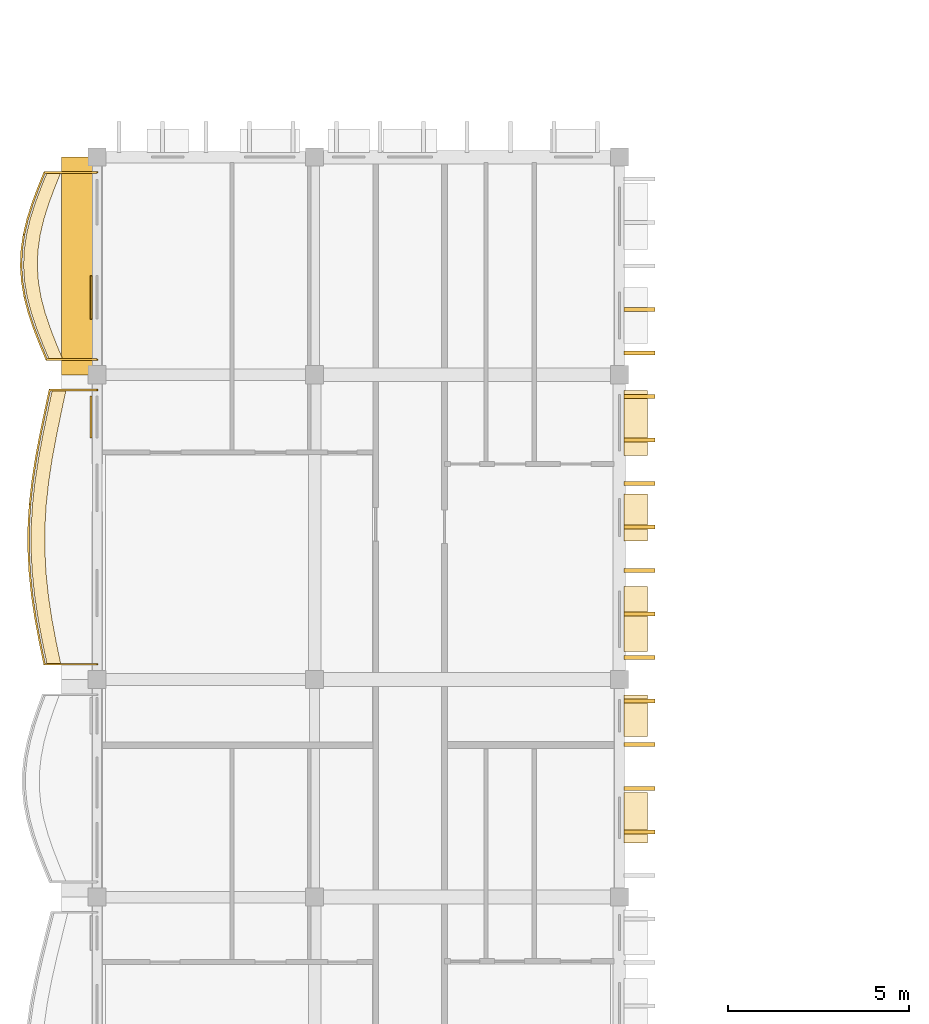
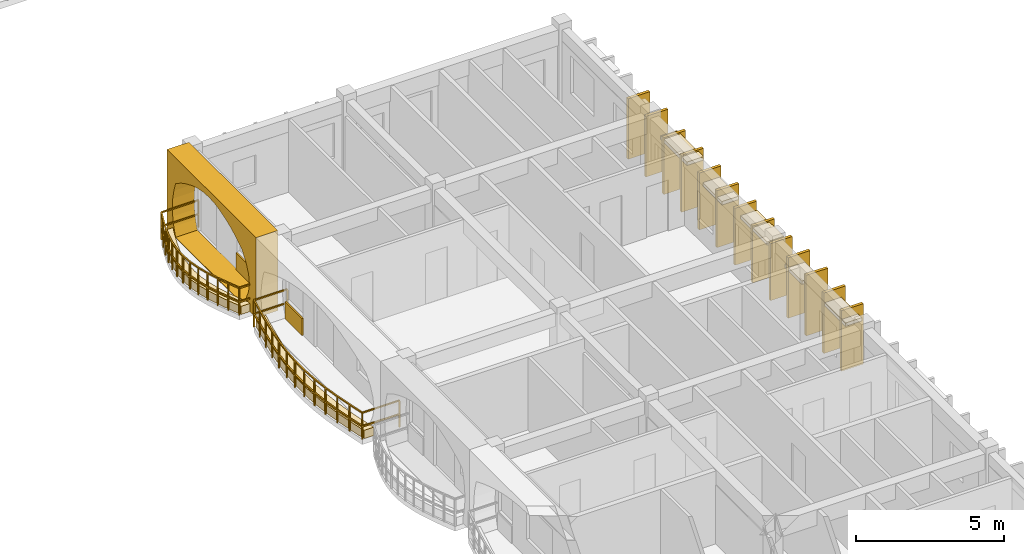
# One storey, part 45 of 66: 23 coverings, 2 railings.
"""IFC4 building model written with IfcOpenShell, lengths in metres."""

from ifc_helpers import new_model, si_unit, direction, frame, origin, origin_2d, place, context, subcontext, project, spatial, polyline, rectangle, outline, extrude, material, layer, layer_set, type_object, element, save


model = new_model("IFC4")

# Units and contexts
model_context = context("Model", 3, precision=1e-05, world=origin(), true_north=direction((0.0, 1.0)))
body_context = subcontext(model_context, "Body", "Model", "MODEL_VIEW")
ifc_project = project(units=[si_unit("LENGTHUNIT", "METRE"), si_unit("AREAUNIT", "SQUARE_METRE"), si_unit("VOLUMEUNIT", "CUBIC_METRE"), si_unit("PLANEANGLEUNIT", "RADIAN"), si_unit("MASSUNIT", "GRAM", prefix="KILO"), si_unit("THERMODYNAMICTEMPERATUREUNIT", "KELVIN")], contexts=[model_context])

# Site, building, storey
site_placement = place(None, origin())
site = spatial("IfcSite", under=ifc_project, at=site_placement, CompositionType="ELEMENT")
building_placement = place(site_placement, origin())
building = spatial("IfcBuilding", under=site, at=building_placement, Name="Thalorik Housing Commons", CompositionType="ELEMENT")
storey_placement = place(building_placement, frame((0.0, 0.0, 21.300048828125)))
storey = spatial("IfcBuildingStorey", under=building, at=storey_placement, Name="L06", CompositionType="ELEMENT", Elevation=21.300048828125)

# Coverings
ifc_material_1 = material(Name="Cobalt blue glazed ceramic facade tile panel", Category="masonry")
ifc_layer_1 = layer(ifc_material_1, 0.06005859375, Name="Cobalt blue glazed ceramic facade tile panel", Category="masonry")
ifc_layer_set_1 = layer_set([ifc_layer_1], Name="Cobalt blue glazed ceramic facade tile panel")
covering_type_1 = type_object("IfcCoveringType", Name="ARC-CLD-BLU-60", PredefinedType="CLADDING", material=ifc_layer_set_1)
covering_1_placement = place(storey_placement, frame((8.235107421875, 50.4375, 0.0498046875), z_axis=(0.0, 0.0, 1.0), x_axis=(0.0, -1.0, 0.0)))
element("IfcCovering", 1, at=covering_1_placement, inside=storey, type_object=covering_type_1, Name="L06 De Stijl Recessed Window Spandrel 4078", PredefinedType="CLADDING", context=body_context, shape_type="SweptSolid", body=[
    extrude(rectangle(XDim=1.14990234375, YDim=0.06005859375, at=origin_2d()), origin(), (0.0, 0.0, 1.0), 0.699951171875),
])
ifc_material_2 = material(Name="Precast concrete C40/50", Category="concrete")
ifc_layer_2 = layer(ifc_material_2, 0.85009765625, Name="Precast concrete C40/50", Category="concrete")
ifc_layer_set_2 = layer_set([ifc_layer_2], Name="Precast concrete C40/50")
covering_type_2 = type_object("IfcCoveringType", Name="ARC-CLD-CUSH-850", PredefinedType="CLADDING", material=ifc_layer_set_2)
covering_2_placement = place(storey_placement, frame((7.844970703125, 54.60009765625, 0.0), z_axis=(0.0, 0.0, 1.0), x_axis=(0.0, -1.0, 0.0)))
element("IfcCovering", 2, at=covering_2_placement, inside=storey, type_object=covering_type_2, Name="L06 White Precast Curved Cushion Bay Frame 4075", PredefinedType="CLADDING", context=body_context, shape_type="SweptSolid", body=[
    extrude(outline(polyline([(-3.0, 0.0), (3.0, 0.0), (3.0, 3.300048828125), (-3.0, 3.300048828125), (-3.0, 0.0)]), holes=[polyline([(2.0400390625, 0.02490234375), (2.3232421875, 0.394287109375), (2.493408203125, 0.76318359375), (2.550048828125, 1.132568359375), (2.493408203125, 1.501708984375), (2.3232421875, 1.870849609375), (2.0400390625, 2.239990234375), (1.66748046875, 2.4833984375), (1.294921875, 2.6748046875), (0.922607421875, 2.82958984375), (0.550048828125, 2.94482421875), (0.177490234375, 3.01611328125), (-0.195068359375, 3.0400390625), (-0.5673828125, 3.01611328125), (-0.93994140625, 2.94482421875), (-1.3125, 2.82958984375), (-1.68505859375, 2.6748046875), (-2.0576171875, 2.4833984375), (-2.429931640625, 2.239990234375), (-2.55029296875, 1.870849609375), (-2.62255859375, 1.501708984375), (-2.646484375, 1.132568359375), (-2.62255859375, 0.76318359375), (-2.55029296875, 0.394287109375), (-2.429931640625, 0.02490234375), (2.0400390625, 0.02490234375)])]), frame((0.0, 0.425048828125, 0.0), z_axis=(0.0, -1.0, 0.0), x_axis=(1.0, 0.0, 0.0)), (0.0, 0.0, 1.0), 0.85009765625),
])
ifc_layer_3 = layer(ifc_material_2, 0.85009765625, Name="Precast concrete C40/50", Category="concrete")
ifc_layer_set_3 = layer_set([ifc_layer_3], Name="Precast concrete C40/50")
covering_type_3 = type_object("IfcCoveringType", Name="ARC-CLD-FIN-850", PredefinedType="CLADDING", material=ifc_layer_set_3)
for number, where, z_axis, x_axis, name in (
    (3, (23.35498046875, 39.0, 0.039794921875), (0.0, 0.0, 1.0), (0.0, 1.0, 0.0), "L06 Courtyard Precast Vertical Brise-Soleil Fin 4035"),
    (4, (23.35498046875, 40.199951171875, 0.039794921875), (0.0, 0.0, 1.0), (0.0, 1.0, 0.0), "L06 Courtyard Precast Vertical Brise-Soleil Fin 4036"),
    (5, (23.35498046875, 41.39990234375, 0.039794921875), (0.0, 0.0, 1.0), (0.0, 1.0, 0.0), "L06 Courtyard Precast Vertical Brise-Soleil Fin 4037"),
    (6, (23.35498046875, 42.60009765625, 0.039794921875), (0.0, 0.0, 1.0), (0.0, 1.0, 0.0), "L06 Courtyard Precast Vertical Brise-Soleil Fin 4038"),
):
    element("IfcCovering", number, at=place(storey_placement, frame(where, z_axis=z_axis, x_axis=x_axis)), inside=storey, type_object=covering_type_3, Name=name, PredefinedType="CLADDING", context=body_context, shape_type="SweptSolid", body=[
        extrude(rectangle(XDim=0.110107421875, YDim=0.85009765625, at=origin_2d()), origin(), (0.0, 0.0, 1.0), 2.4951171875),
    ])
for number, where, z_axis, x_axis, name in (
    (7, (23.35498046875, 43.800048828125, 0.0400390625), (0.0, 0.0, 1.0), (0.0, 1.0, 0.0), "L06 Courtyard Precast Vertical Brise-Soleil Fin 4041"),
    (8, (23.35498046875, 45.0, 0.0400390625), (0.0, 0.0, 1.0), (0.0, 1.0, 0.0), "L06 Courtyard Precast Vertical Brise-Soleil Fin 4042"),
    (9, (23.35498046875, 46.199951171875, 0.0400390625), (0.0, 0.0, 1.0), (0.0, 1.0, 0.0), "L06 Courtyard Precast Vertical Brise-Soleil Fin 4043"),
    (10, (23.35498046875, 47.39990234375, 0.0400390625), (0.0, 0.0, 1.0), (0.0, 1.0, 0.0), "L06 Courtyard Precast Vertical Brise-Soleil Fin 4044"),
    (11, (23.35498046875, 48.60009765625, 0.0400390625), (0.0, 0.0, 1.0), (0.0, 1.0, 0.0), "L06 Courtyard Precast Vertical Brise-Soleil Fin 4045"),
    (12, (23.35498046875, 49.800048828125, 0.0400390625), (0.0, 0.0, 1.0), (0.0, 1.0, 0.0), "L06 Courtyard Precast Vertical Brise-Soleil Fin 4046"),
    (13, (23.35498046875, 51.0, 0.0400390625), (0.0, 0.0, 1.0), (0.0, 1.0, 0.0), "L06 Courtyard Precast Vertical Brise-Soleil Fin 4047"),
):
    element("IfcCovering", number, at=place(storey_placement, frame(where, z_axis=z_axis, x_axis=x_axis)), inside=storey, type_object=covering_type_3, Name=name, PredefinedType="CLADDING", context=body_context, shape_type="SweptSolid", body=[
        extrude(rectangle(XDim=0.110107421875, YDim=0.85009765625, at=origin_2d()), origin(), (0.0, 0.0, 1.0), 2.344970703125),
    ])
for number, where, z_axis, x_axis, name in (
    (14, (23.35498046875, 52.199951171875, 0.039794921875), (0.0, 0.0, 1.0), (0.0, 1.0, 0.0), "L06 Courtyard Precast Vertical Brise-Soleil Fin 4051"),
    (15, (23.35498046875, 53.39990234375, 0.039794921875), (0.0, 0.0, 1.0), (0.0, 1.0, 0.0), "L06 Courtyard Precast Vertical Brise-Soleil Fin 4052"),
):
    element("IfcCovering", number, at=place(storey_placement, frame(where, z_axis=z_axis, x_axis=x_axis)), inside=storey, type_object=covering_type_3, Name=name, PredefinedType="CLADDING", context=body_context, shape_type="SweptSolid", body=[
        extrude(rectangle(XDim=0.110107421875, YDim=0.85009765625, at=origin_2d()), origin(), (0.0, 0.0, 1.0), 2.4951171875),
    ])
ifc_layer_4 = layer(ifc_material_2, 0.64990234375, Name="Precast concrete C40/50", Category="concrete")
ifc_layer_set_4 = layer_set([ifc_layer_4], Name="Precast concrete C40/50")
covering_type_4 = type_object("IfcCoveringType", Name="ARC-CLD-HOOD-650", PredefinedType="CLADDING", material=ifc_layer_set_4)
covering_3_placement = place(storey_placement, frame((23.2548828125, 39.389892578125, 2.0400390625), z_axis=(0.0, 0.0, 1.0), x_axis=(0.0, 1.0, 0.0)))
element("IfcCovering", 16, at=covering_3_placement, inside=storey, type_object=covering_type_4, Name="L06 Courtyard Precast Window Sun-Hood 4039", PredefinedType="CLADDING", context=body_context, shape_type="SweptSolid", body=[
    extrude(rectangle(XDim=1.389892578125, YDim=0.64990234375, at=origin_2d()), origin(), (0.0, 0.0, 1.0), 0.139892578125),
])
covering_4_placement = place(storey_placement, frame((23.2548828125, 42.199951171875, 1.990234375), z_axis=(0.0, 0.0, 1.0), x_axis=(0.0, 1.0, 0.0)))
element("IfcCovering", 17, at=covering_4_placement, inside=storey, type_object=covering_type_4, Name="L06 Courtyard Precast Window Sun-Hood 4040", PredefinedType="CLADDING", context=body_context, shape_type="SweptSolid", body=[
    extrude(rectangle(XDim=1.139892578125, YDim=0.64990234375, at=origin_2d()), origin(), (0.0, 0.0, 1.0), 0.139892578125),
])
covering_5_placement = place(storey_placement, frame((23.2548828125, 44.863037109375, 2.18994140625), z_axis=(0.0, 0.0, 1.0), x_axis=(0.0, 1.0, 0.0)))
element("IfcCovering", 18, at=covering_5_placement, inside=storey, type_object=covering_type_4, Name="L06 Courtyard Precast Window Sun-Hood 4048", PredefinedType="CLADDING", context=body_context, shape_type="SweptSolid", body=[
    extrude(rectangle(XDim=1.7900390625, YDim=0.64990234375, at=origin_2d()), origin(), (0.0, 0.0, 1.0), 0.139892578125),
])
covering_6_placement = place(storey_placement, frame((23.2548828125, 47.6689453125, 1.990234375), z_axis=(0.0, 0.0, 1.0), x_axis=(0.0, 1.0, 0.0)))
element("IfcCovering", 19, at=covering_6_placement, inside=storey, type_object=covering_type_4, Name="L06 Courtyard Precast Window Sun-Hood 4049", PredefinedType="CLADDING", context=body_context, shape_type="SweptSolid", body=[
    extrude(rectangle(XDim=1.2900390625, YDim=0.64990234375, at=origin_2d()), origin(), (0.0, 0.0, 1.0), 0.139892578125),
])
covering_7_placement = place(storey_placement, frame((23.2548828125, 50.27587890625, 2.18994140625), z_axis=(0.0, 0.0, 1.0), x_axis=(0.0, 1.0, 0.0)))
element("IfcCovering", 20, at=covering_7_placement, inside=storey, type_object=covering_type_4, Name="L06 Courtyard Precast Window Sun-Hood 4050", PredefinedType="CLADDING", context=body_context, shape_type="SweptSolid", body=[
    extrude(rectangle(XDim=1.7900390625, YDim=0.64990234375, at=origin_2d()), origin(), (0.0, 0.0, 1.0), 0.139892578125),
])
ifc_material_3 = material(Name="Terracotta red mineral fibre-cement panel", Category="masonry")
ifc_layer_5 = layer(ifc_material_3, 0.054931640625, Name="Terracotta red mineral fibre-cement panel", Category="masonry")
ifc_layer_set_5 = layer_set([ifc_layer_5], Name="Terracotta red mineral fibre-cement panel")
covering_type_5 = type_object("IfcCoveringType", Name="ARC-CLD-RED-55", PredefinedType="CLADDING", material=ifc_layer_set_5)
covering_8_placement = place(storey_placement, frame((8.237548828125, 53.735107421875, 0.0498046875), z_axis=(0.0, 0.0, 1.0), x_axis=(0.0, -1.0, 0.0)))
element("IfcCovering", 21, at=covering_8_placement, inside=storey, type_object=covering_type_5, Name="L06 De Stijl Recessed Window Spandrel 4076", PredefinedType="CLADDING", context=body_context, shape_type="SweptSolid", body=[
    extrude(rectangle(XDim=1.199951171875, YDim=0.054931640625, at=origin_2d()), origin(), (0.0, 0.0, 1.0), 0.699951171875),
])
ifc_material_4 = material(Name="Planted vegetated substrate and terracotta trough", Category="masonry")
ifc_layer_6 = layer(ifc_material_4, 0.340087890625, Name="Planted vegetated substrate and terracotta trough", Category="masonry")
ifc_layer_set_6 = layer_set([ifc_layer_6], Name="Planted vegetated substrate and terracotta trough")
covering_type_6 = type_object("IfcCoveringType", Name="ARC-COV-PLANTER", PredefinedType="USERDEFINED", material=ifc_layer_set_6)
covering_9_placement = place(storey_placement, origin())
element("IfcCovering", 22, at=covering_9_placement, inside=storey, type_object=covering_type_6, Name="L06 Balcony Slab-Edge Planted Trough 5610", ObjectType="PLANTER", PredefinedType="USERDEFINED", context=body_context, shape_type="SweptSolid", body=[
    extrude(outline(polyline([(7.165771484375, 51.179931640625), (7.031982421875, 50.550048828125), (6.90234375, 49.919921875), (6.785400390625, 49.2900390625), (6.689208984375, 48.659912109375), (6.620361328125, 48.030029296875), (6.58349609375, 47.39990234375), (6.5810546875, 46.77001953125), (6.613525390625, 46.139892578125), (6.67919921875, 45.510009765625), (6.773193359375, 44.8798828125), (6.889892578125, 44.25), (7.021484375, 43.6201171875), (7.4013671875, 43.6201171875), (7.27001953125, 44.25), (7.1533203125, 44.8798828125), (7.05908203125, 45.510009765625), (6.99365234375, 46.139892578125), (6.961181640625, 46.77001953125), (6.96337890625, 47.39990234375), (7.00048828125, 48.030029296875), (7.0693359375, 48.659912109375), (7.16552734375, 49.2900390625), (7.282470703125, 49.919921875), (7.412109375, 50.550048828125), (7.5458984375, 51.179931640625), (7.165771484375, 51.179931640625)])), origin(), (0.0, 0.0, 1.0), 0.33984375),
])
covering_10_placement = place(storey_placement, origin())
element("IfcCovering", 23, at=covering_10_placement, inside=storey, type_object=covering_type_6, Name="L06 Balcony Slab-Edge Planted Trough 5611", ObjectType="PLANTER", PredefinedType="USERDEFINED", context=body_context, shape_type="SweptSolid", body=[
    extrude(outline(polyline([(7.023681640625, 57.179931640625), (6.849853515625, 56.75), (6.68994140625, 56.320068359375), (6.5546875, 55.889892578125), (6.452880859375, 55.4599609375), (6.39111328125, 55.030029296875), (6.3740234375, 54.60009765625), (6.402587890625, 54.169921875), (6.475341796875, 53.739990234375), (6.58740234375, 53.31005859375), (6.73193359375, 52.8798828125), (6.8994140625, 52.449951171875), (7.079345703125, 52.02001953125), (7.459228515625, 52.02001953125), (7.279541015625, 52.449951171875), (7.11181640625, 52.8798828125), (6.967529296875, 53.31005859375), (6.855224609375, 53.739990234375), (6.78271484375, 54.169921875), (6.754150390625, 54.60009765625), (6.771240234375, 55.030029296875), (6.832763671875, 55.4599609375), (6.9345703125, 55.889892578125), (7.06982421875, 56.320068359375), (7.229736328125, 56.75), (7.40380859375, 57.179931640625), (7.023681640625, 57.179931640625)])), origin(), (0.0, 0.0, 1.0), 0.33984375),
])

# Railings
ifc_material_5 = material(Name="Steel S355", Category="steel")
railing_type_1 = type_object("IfcRailingType", Name="ARC-RL-BAL-112", PredefinedType="BALUSTRADE", material=ifc_material_5)
railing_1_placement = place(storey_placement, frame((8.39990234375, 51.179931640625, 0.0)))
element("IfcRailing", 24, at=railing_1_placement, inside=storey, type_object=railing_type_1, Name="L06 Cushion Balcony Guardrail 294", PredefinedType="BALUSTRADE", context=body_context, shape_type="SweptSolid", body=[
    extrude(rectangle(XDim=0.050048828125, YDim=0.050048828125, at=origin_2d()), frame((0.0, 0.0, 1.09521484375), z_axis=(-1.0, 0.0, 0.0), x_axis=(0.0, -1.0, 0.0)), (0.0, 0.0, 1.0), 1.30419921875),
    extrude(rectangle(XDim=0.050048828125, YDim=0.050048828125, at=origin_2d()), frame((0.0, 0.0, 0.53515625), z_axis=(-1.0, 0.0, 0.0), x_axis=(0.0, -1.0, 0.0)), (0.0, 0.0, 1.0), 1.30419921875),
    extrude(rectangle(XDim=0.050048828125, YDim=0.050048828125, at=origin_2d()), frame((-1.30419921875, 0.0, 1.09521484375), z_axis=(-0.207405250274, -0.97825511098, 0.0), x_axis=(0.97825511098, -0.207405250274, 0.0)), (0.0, 0.0, 1.0), 0.643798828125),
    extrude(rectangle(XDim=0.050048828125, YDim=0.050048828125, at=origin_2d()), frame((-1.30419921875, 0.0, 0.53515625), z_axis=(-0.207405250274, -0.97825511098, 0.0), x_axis=(0.97825511098, -0.207405250274, 0.0)), (0.0, 0.0, 1.0), 0.643798828125),
    extrude(rectangle(XDim=0.050048828125, YDim=0.050048828125, at=origin_2d()), frame((-1.437744140625, -0.6298828125, 1.09521484375), z_axis=(-0.201513716685, -0.97948569259, 0.0), x_axis=(0.97948569259, -0.201513716685, 0.0)), (0.0, 0.0, 1.0), 0.643310546875),
    extrude(rectangle(XDim=0.050048828125, YDim=0.050048828125, at=origin_2d()), frame((-1.437744140625, -0.6298828125, 0.53515625), z_axis=(-0.201513716685, -0.97948569259, 0.0), x_axis=(0.97948569259, -0.201513716685, 0.0)), (0.0, 0.0, 1.0), 0.643310546875),
    extrude(rectangle(XDim=0.050048828125, YDim=0.050048828125, at=origin_2d()), frame((-1.5673828125, -1.260009765625, 1.09521484375), z_axis=(-0.182539567958, -0.983198507998, 0.0), x_axis=(0.983198507998, -0.182539567958, 0.0)), (0.0, 0.0, 1.0), 0.640625),
    extrude(rectangle(XDim=0.050048828125, YDim=0.050048828125, at=origin_2d()), frame((-1.5673828125, -1.260009765625, 0.53515625), z_axis=(-0.182539567958, -0.983198507998, 0.0), x_axis=(0.983198507998, -0.182539567958, 0.0)), (0.0, 0.0, 1.0), 0.640625),
    extrude(rectangle(XDim=0.050048828125, YDim=0.050048828125, at=origin_2d()), frame((-1.684326171875, -1.889892578125, 1.09521484375), z_axis=(-0.150905837951, -0.988548141505, 0.0), x_axis=(0.988548141505, -0.150905837951, 0.0)), (0.0, 0.0, 1.0), 0.637451171875),
    extrude(rectangle(XDim=0.050048828125, YDim=0.050048828125, at=origin_2d()), frame((-1.684326171875, -1.889892578125, 0.53515625), z_axis=(-0.150905837951, -0.988548141505, 0.0), x_axis=(0.988548141505, -0.150905837951, 0.0)), (0.0, 0.0, 1.0), 0.637451171875),
    extrude(rectangle(XDim=0.050048828125, YDim=0.050048828125, at=origin_2d()), frame((-1.780517578125, -2.52001953125, 1.09521484375), z_axis=(-0.109035930223, -0.9940378091, 0.0), x_axis=(0.9940378091, -0.109035930223, 0.0)), (0.0, 0.0, 1.0), 0.633544921875),
    extrude(rectangle(XDim=0.050048828125, YDim=0.050048828125, at=origin_2d()), frame((-1.780517578125, -2.52001953125, 0.53515625), z_axis=(-0.109035930223, -0.9940378091, 0.0), x_axis=(0.9940378091, -0.109035930223, 0.0)), (0.0, 0.0, 1.0), 0.633544921875),
    extrude(rectangle(XDim=0.050048828125, YDim=0.050048828125, at=origin_2d()), frame((-1.849609375, -3.14990234375, 1.09521484375), z_axis=(-0.058404588245, -0.998292995103, 0.0), x_axis=(0.998292995103, -0.058404588245, 0.0)), (0.0, 0.0, 1.0), 0.631103515625),
    extrude(rectangle(XDim=0.050048828125, YDim=0.050048828125, at=origin_2d()), frame((-1.849609375, -3.14990234375, 0.53515625), z_axis=(-0.058404588245, -0.998292995103, 0.0), x_axis=(0.998292995103, -0.058404588245, 0.0)), (0.0, 0.0, 1.0), 0.631103515625),
    extrude(rectangle(XDim=0.050048828125, YDim=0.050048828125, at=origin_2d()), frame((-1.886474609375, -3.780029296875, 1.09521484375), z_axis=(-0.003875939878, -0.999992488517, 0.0), x_axis=(0.999992488517, -0.003875939878, 0.0)), (0.0, 0.0, 1.0), 0.6298828125),
    extrude(rectangle(XDim=0.050048828125, YDim=0.050048828125, at=origin_2d()), frame((-1.886474609375, -3.780029296875, 0.53515625), z_axis=(-0.003875939878, -0.999992488517, 0.0), x_axis=(0.999992488517, -0.003875939878, 0.0)), (0.0, 0.0, 1.0), 0.6298828125),
    extrude(rectangle(XDim=0.050048828125, YDim=0.050048828125, at=origin_2d()), frame((-1.888916015625, -4.409912109375, 1.09521484375), z_axis=(0.05184803106, -0.998654986307, 0.0), x_axis=(0.998654986307, 0.05184803106, 0.0)), (0.0, 0.0, 1.0), 0.630859375),
    extrude(rectangle(XDim=0.050048828125, YDim=0.050048828125, at=origin_2d()), frame((-1.888916015625, -4.409912109375, 0.53515625), z_axis=(0.05184803106, -0.998654986307, 0.0), x_axis=(0.998654986307, 0.05184803106, 0.0)), (0.0, 0.0, 1.0), 0.630859375),
    extrude(rectangle(XDim=0.050048828125, YDim=0.050048828125, at=origin_2d()), frame((-1.856201171875, -5.0400390625, 1.09521484375), z_axis=(0.10332004178, -0.994648163406, 0.0), x_axis=(0.994648163406, 0.10332004178, 0.0)), (0.0, 0.0, 1.0), 0.63330078125),
    extrude(rectangle(XDim=0.050048828125, YDim=0.050048828125, at=origin_2d()), frame((-1.856201171875, -5.0400390625, 0.53515625), z_axis=(0.10332004178, -0.994648163406, 0.0), x_axis=(0.994648163406, 0.10332004178, 0.0)), (0.0, 0.0, 1.0), 0.63330078125),
    extrude(rectangle(XDim=0.050048828125, YDim=0.050048828125, at=origin_2d()), frame((-1.790771484375, -5.669921875, 1.09521484375), z_axis=(0.147909472647, -0.989000903893, 0.0), x_axis=(0.989000903893, 0.147909472647, 0.0)), (0.0, 0.0, 1.0), 0.63720703125),
    extrude(rectangle(XDim=0.050048828125, YDim=0.050048828125, at=origin_2d()), frame((-1.790771484375, -5.669921875, 0.53515625), z_axis=(0.147909472647, -0.989000903893, 0.0), x_axis=(0.989000903893, 0.147909472647, 0.0)), (0.0, 0.0, 1.0), 0.63720703125),
    extrude(rectangle(XDim=0.050048828125, YDim=0.050048828125, at=origin_2d()), frame((-1.696533203125, -6.300048828125, 1.09521484375), z_axis=(0.182171142854, -0.983266838, 0.0), x_axis=(0.983266838, 0.182171142854, 0.0)), (0.0, 0.0, 1.0), 0.640625),
    extrude(rectangle(XDim=0.050048828125, YDim=0.050048828125, at=origin_2d()), frame((-1.696533203125, -6.300048828125, 0.53515625), z_axis=(0.182171142854, -0.983266838, 0.0), x_axis=(0.983266838, 0.182171142854, 0.0)), (0.0, 0.0, 1.0), 0.640625),
    extrude(rectangle(XDim=0.050048828125, YDim=0.050048828125, at=origin_2d()), frame((-1.579833984375, -6.929931640625, 1.09521484375), z_axis=(0.204136076393, -0.978942522478, 0.0), x_axis=(0.978942522478, 0.204136076393, 0.0)), (0.0, 0.0, 1.0), 0.643310546875),
    extrude(rectangle(XDim=0.050048828125, YDim=0.050048828125, at=origin_2d()), frame((-1.579833984375, -6.929931640625, 0.53515625), z_axis=(0.204136076393, -0.978942522478, 0.0), x_axis=(0.978942522478, 0.204136076393, 0.0)), (0.0, 0.0, 1.0), 0.643310546875),
    extrude(rectangle(XDim=0.050048828125, YDim=0.050048828125, at=origin_2d()), frame((-1.448486328125, -7.559814453125, 1.09521484375), z_axis=(1.0, 0.0, 0.0), x_axis=(0.0, 1.0, 0.0)), (0.0, 0.0, 1.0), 1.448486328125),
    extrude(rectangle(XDim=0.050048828125, YDim=0.050048828125, at=origin_2d()), frame((-1.448486328125, -7.559814453125, 0.53515625), z_axis=(1.0, 0.0, 0.0), x_axis=(0.0, 1.0, 0.0)), (0.0, 0.0, 1.0), 1.448486328125),
    extrude(rectangle(XDim=0.0419921875, YDim=0.0419921875, at=origin_2d()), origin(), (0.0, 0.0, 1.0), 1.070068359375),
    extrude(rectangle(XDim=0.0419921875, YDim=0.0419921875, at=origin_2d()), frame((-1.30419921875, 0.0, 0.0)), (0.0, 0.0, 1.0), 1.070068359375),
    extrude(rectangle(XDim=0.0419921875, YDim=0.0419921875, at=origin_2d()), frame((-1.437744140625, -0.6298828125, 0.0)), (0.0, 0.0, 1.0), 1.070068359375),
    extrude(rectangle(XDim=0.0419921875, YDim=0.0419921875, at=origin_2d()), frame((-1.5673828125, -1.260009765625, 0.0)), (0.0, 0.0, 1.0), 1.070068359375),
    extrude(rectangle(XDim=0.0419921875, YDim=0.0419921875, at=origin_2d()), frame((-1.684326171875, -1.889892578125, 0.0)), (0.0, 0.0, 1.0), 1.070068359375),
    extrude(rectangle(XDim=0.0419921875, YDim=0.0419921875, at=origin_2d()), frame((-1.780517578125, -2.52001953125, 0.0)), (0.0, 0.0, 1.0), 1.070068359375),
    extrude(rectangle(XDim=0.0419921875, YDim=0.0419921875, at=origin_2d()), frame((-1.849609375, -3.14990234375, 0.0)), (0.0, 0.0, 1.0), 1.070068359375),
    extrude(rectangle(XDim=0.0419921875, YDim=0.0419921875, at=origin_2d()), frame((-1.886474609375, -3.780029296875, 0.0)), (0.0, 0.0, 1.0), 1.070068359375),
    extrude(rectangle(XDim=0.0419921875, YDim=0.0419921875, at=origin_2d()), frame((-1.888916015625, -4.409912109375, 0.0)), (0.0, 0.0, 1.0), 1.070068359375),
    extrude(rectangle(XDim=0.0419921875, YDim=0.0419921875, at=origin_2d()), frame((-1.856201171875, -5.0400390625, 0.0)), (0.0, 0.0, 1.0), 1.070068359375),
    extrude(rectangle(XDim=0.0419921875, YDim=0.0419921875, at=origin_2d()), frame((-1.790771484375, -5.669921875, 0.0)), (0.0, 0.0, 1.0), 1.070068359375),
    extrude(rectangle(XDim=0.0419921875, YDim=0.0419921875, at=origin_2d()), frame((-1.696533203125, -6.300048828125, 0.0)), (0.0, 0.0, 1.0), 1.070068359375),
    extrude(rectangle(XDim=0.0419921875, YDim=0.0419921875, at=origin_2d()), frame((-1.579833984375, -6.929931640625, 0.0)), (0.0, 0.0, 1.0), 1.070068359375),
    extrude(rectangle(XDim=0.0419921875, YDim=0.0419921875, at=origin_2d()), frame((-1.448486328125, -7.559814453125, 0.0)), (0.0, 0.0, 1.0), 1.070068359375),
    extrude(rectangle(XDim=0.0419921875, YDim=0.0419921875, at=origin_2d()), frame((0.0, -7.559814453125, 0.0)), (0.0, 0.0, 1.0), 1.070068359375),
])
railing_type_2 = type_object("IfcRailingType", Name="ARC-RL-BAL-115", PredefinedType="BALUSTRADE", material=ifc_material_5)
railing_2_placement = place(storey_placement, frame((8.39990234375, 57.179931640625, 0.0)))
element("IfcRailing", 25, at=railing_2_placement, inside=storey, type_object=railing_type_2, Name="L06 Cushion Balcony Guardrail 295", PredefinedType="BALUSTRADE", context=body_context, shape_type="SweptSolid", body=[
    extrude(rectangle(XDim=0.050048828125, YDim=0.050048828125, at=origin_2d()), frame((0.0, 0.0, 1.125), z_axis=(-1.0, 0.0, 0.0), x_axis=(0.0, -1.0, 0.0)), (0.0, 0.0, 1.0), 1.4462890625),
    extrude(rectangle(XDim=0.050048828125, YDim=0.050048828125, at=origin_2d()), frame((0.0, 0.0, 0.5498046875), z_axis=(-1.0, 0.0, 0.0), x_axis=(0.0, -1.0, 0.0)), (0.0, 0.0, 1.0), 1.4462890625),
    extrude(rectangle(XDim=0.050048828125, YDim=0.050048828125, at=origin_2d()), frame((-1.4462890625, 0.0, 1.125), z_axis=(-0.374837314047, -0.927090603985, 0.0), x_axis=(0.927090603985, -0.374837314047, 0.0)), (0.0, 0.0, 1.0), 0.463623046875),
    extrude(rectangle(XDim=0.050048828125, YDim=0.050048828125, at=origin_2d()), frame((-1.4462890625, 0.0, 0.5498046875), z_axis=(-0.374837314047, -0.927090603985, 0.0), x_axis=(0.927090603985, -0.374837314047, 0.0)), (0.0, 0.0, 1.0), 0.463623046875),
    extrude(rectangle(XDim=0.050048828125, YDim=0.050048828125, at=origin_2d()), frame((-1.6201171875, -0.429931640625, 1.125), z_axis=(-0.348614114269, -0.93726634386, 0.0), x_axis=(0.93726634386, -0.348614114269, 0.0)), (0.0, 0.0, 1.0), 0.458740234375),
    extrude(rectangle(XDim=0.050048828125, YDim=0.050048828125, at=origin_2d()), frame((-1.6201171875, -0.429931640625, 0.5498046875), z_axis=(-0.348614114269, -0.93726634386, 0.0), x_axis=(0.93726634386, -0.348614114269, 0.0)), (0.0, 0.0, 1.0), 0.458740234375),
    extrude(rectangle(XDim=0.050048828125, YDim=0.050048828125, at=origin_2d()), frame((-1.780029296875, -0.85986328125, 1.125), z_axis=(-0.299939220082, -0.953958313689, 0.0), x_axis=(0.953958313689, -0.299939220082, 0.0)), (0.0, 0.0, 1.0), 0.450927734375),
    extrude(rectangle(XDim=0.050048828125, YDim=0.050048828125, at=origin_2d()), frame((-1.780029296875, -0.85986328125, 0.5498046875), z_axis=(-0.299939220082, -0.953958313689, 0.0), x_axis=(0.953958313689, -0.299939220082, 0.0)), (0.0, 0.0, 1.0), 0.450927734375),
    extrude(rectangle(XDim=0.050048828125, YDim=0.050048828125, at=origin_2d()), frame((-1.915283203125, -1.2900390625, 1.125), z_axis=(-0.230425076192, -0.973090069964, 0.0), x_axis=(0.973090069964, -0.230425076192, 0.0)), (0.0, 0.0, 1.0), 0.44189453125),
    extrude(rectangle(XDim=0.050048828125, YDim=0.050048828125, at=origin_2d()), frame((-1.915283203125, -1.2900390625, 0.5498046875), z_axis=(-0.230425076192, -0.973090069964, 0.0), x_axis=(0.973090069964, -0.230425076192, 0.0)), (0.0, 0.0, 1.0), 0.44189453125),
    extrude(rectangle(XDim=0.050048828125, YDim=0.050048828125, at=origin_2d()), frame((-2.01708984375, -1.719970703125, 1.125), z_axis=(-0.141657447962, -0.989915737544, 0.0), x_axis=(0.989915737544, -0.141657447962, 0.0)), (0.0, 0.0, 1.0), 0.434326171875),
    extrude(rectangle(XDim=0.050048828125, YDim=0.050048828125, at=origin_2d()), frame((-2.01708984375, -1.719970703125, 0.5498046875), z_axis=(-0.141657447962, -0.989915737544, 0.0), x_axis=(0.989915737544, -0.141657447962, 0.0)), (0.0, 0.0, 1.0), 0.434326171875),
    extrude(rectangle(XDim=0.050048828125, YDim=0.050048828125, at=origin_2d()), frame((-2.07861328125, -2.14990234375, 1.125), z_axis=(-0.039718775053, -0.999210898113, 0.0), x_axis=(0.999210898113, -0.039718775053, 0.0)), (0.0, 0.0, 1.0), 0.43017578125),
    extrude(rectangle(XDim=0.050048828125, YDim=0.050048828125, at=origin_2d()), frame((-2.07861328125, -2.14990234375, 0.5498046875), z_axis=(-0.039718775053, -0.999210898113, 0.0), x_axis=(0.999210898113, -0.039718775053, 0.0)), (0.0, 0.0, 1.0), 0.43017578125),
    extrude(rectangle(XDim=0.050048828125, YDim=0.050048828125, at=origin_2d()), frame((-2.095703125, -2.579833984375, 1.125), z_axis=(0.066255908959, -0.997802663119, 0.0), x_axis=(0.997802663119, 0.066255908959, 0.0)), (0.0, 0.0, 1.0), 0.43115234375),
    extrude(rectangle(XDim=0.050048828125, YDim=0.050048828125, at=origin_2d()), frame((-2.095703125, -2.579833984375, 0.5498046875), z_axis=(0.066255908959, -0.997802663119, 0.0), x_axis=(0.997802663119, 0.066255908959, 0.0)), (0.0, 0.0, 1.0), 0.43115234375),
    extrude(rectangle(XDim=0.050048828125, YDim=0.050048828125, at=origin_2d()), frame((-2.067138671875, -3.010009765625, 1.125), z_axis=(0.16630554136, -0.986074270485, 0.0), x_axis=(0.986074270485, 0.16630554136, 0.0)), (0.0, 0.0, 1.0), 0.43603515625),
    extrude(rectangle(XDim=0.050048828125, YDim=0.050048828125, at=origin_2d()), frame((-2.067138671875, -3.010009765625, 0.5498046875), z_axis=(0.16630554136, -0.986074270485, 0.0), x_axis=(0.986074270485, 0.16630554136, 0.0)), (0.0, 0.0, 1.0), 0.43603515625),
    extrude(rectangle(XDim=0.050048828125, YDim=0.050048828125, at=origin_2d()), frame((-1.99462890625, -3.43994140625, 1.125), z_axis=(0.252735006948, -0.967535537468, 0.0), x_axis=(0.967535537468, 0.252735006948, 0.0)), (0.0, 0.0, 1.0), 0.4443359375),
    extrude(rectangle(XDim=0.050048828125, YDim=0.050048828125, at=origin_2d()), frame((-1.99462890625, -3.43994140625, 0.5498046875), z_axis=(0.252735006948, -0.967535537468, 0.0), x_axis=(0.967535537468, 0.252735006948, 0.0)), (0.0, 0.0, 1.0), 0.4443359375),
    extrude(rectangle(XDim=0.050048828125, YDim=0.050048828125, at=origin_2d()), frame((-1.88232421875, -3.869873046875, 1.125), z_axis=(0.318002862604, -0.948089752806, 0.0), x_axis=(0.948089752806, 0.318002862604, 0.0)), (0.0, 0.0, 1.0), 0.45361328125),
    extrude(rectangle(XDim=0.050048828125, YDim=0.050048828125, at=origin_2d()), frame((-1.88232421875, -3.869873046875, 0.5498046875), z_axis=(0.318002862604, -0.948089752806, 0.0), x_axis=(0.948089752806, 0.318002862604, 0.0)), (0.0, 0.0, 1.0), 0.45361328125),
    extrude(rectangle(XDim=0.050048828125, YDim=0.050048828125, at=origin_2d()), frame((-1.738037109375, -4.300048828125, 1.125), z_axis=(0.363441703429, -0.931616942852, 0.0), x_axis=(0.931616942852, 0.363441703429, 0.0)), (0.0, 0.0, 1.0), 0.46142578125),
    extrude(rectangle(XDim=0.050048828125, YDim=0.050048828125, at=origin_2d()), frame((-1.738037109375, -4.300048828125, 0.5498046875), z_axis=(0.363441703429, -0.931616942852, 0.0), x_axis=(0.931616942852, 0.363441703429, 0.0)), (0.0, 0.0, 1.0), 0.46142578125),
    extrude(rectangle(XDim=0.050048828125, YDim=0.050048828125, at=origin_2d()), frame((-1.5703125, -4.72998046875, 1.125), z_axis=(0.385619633043, -0.922657844822, 0.0), x_axis=(0.922657844822, 0.385619633043, 0.0)), (0.0, 0.0, 1.0), 0.466064453125),
    extrude(rectangle(XDim=0.050048828125, YDim=0.050048828125, at=origin_2d()), frame((-1.5703125, -4.72998046875, 0.5498046875), z_axis=(0.385619633043, -0.922657844822, 0.0), x_axis=(0.922657844822, 0.385619633043, 0.0)), (0.0, 0.0, 1.0), 0.466064453125),
    extrude(rectangle(XDim=0.050048828125, YDim=0.050048828125, at=origin_2d()), frame((-1.390625, -5.159912109375, 1.125), z_axis=(1.0, 0.0, 0.0), x_axis=(0.0, 1.0, 0.0)), (0.0, 0.0, 1.0), 1.390625),
    extrude(rectangle(XDim=0.050048828125, YDim=0.050048828125, at=origin_2d()), frame((-1.390625, -5.159912109375, 0.5498046875), z_axis=(1.0, 0.0, 0.0), x_axis=(0.0, 1.0, 0.0)), (0.0, 0.0, 1.0), 1.390625),
    extrude(rectangle(XDim=0.0419921875, YDim=0.0419921875, at=origin_2d()), origin(), (0.0, 0.0, 1.0), 1.099853515625),
    extrude(rectangle(XDim=0.0419921875, YDim=0.0419921875, at=origin_2d()), frame((-1.4462890625, 0.0, 0.0)), (0.0, 0.0, 1.0), 1.099853515625),
    extrude(rectangle(XDim=0.0419921875, YDim=0.0419921875, at=origin_2d()), frame((-1.6201171875, -0.429931640625, 0.0)), (0.0, 0.0, 1.0), 1.099853515625),
    extrude(rectangle(XDim=0.0419921875, YDim=0.0419921875, at=origin_2d()), frame((-1.780029296875, -0.85986328125, 0.0)), (0.0, 0.0, 1.0), 1.099853515625),
    extrude(rectangle(XDim=0.0419921875, YDim=0.0419921875, at=origin_2d()), frame((-1.915283203125, -1.2900390625, 0.0)), (0.0, 0.0, 1.0), 1.099853515625),
    extrude(rectangle(XDim=0.0419921875, YDim=0.0419921875, at=origin_2d()), frame((-2.01708984375, -1.719970703125, 0.0)), (0.0, 0.0, 1.0), 1.099853515625),
    extrude(rectangle(XDim=0.0419921875, YDim=0.0419921875, at=origin_2d()), frame((-2.07861328125, -2.14990234375, 0.0)), (0.0, 0.0, 1.0), 1.099853515625),
    extrude(rectangle(XDim=0.0419921875, YDim=0.0419921875, at=origin_2d()), frame((-2.095703125, -2.579833984375, 0.0)), (0.0, 0.0, 1.0), 1.099853515625),
    extrude(rectangle(XDim=0.0419921875, YDim=0.0419921875, at=origin_2d()), frame((-2.067138671875, -3.010009765625, 0.0)), (0.0, 0.0, 1.0), 1.099853515625),
    extrude(rectangle(XDim=0.0419921875, YDim=0.0419921875, at=origin_2d()), frame((-1.99462890625, -3.43994140625, 0.0)), (0.0, 0.0, 1.0), 1.099853515625),
    extrude(rectangle(XDim=0.0419921875, YDim=0.0419921875, at=origin_2d()), frame((-1.88232421875, -3.869873046875, 0.0)), (0.0, 0.0, 1.0), 1.099853515625),
    extrude(rectangle(XDim=0.0419921875, YDim=0.0419921875, at=origin_2d()), frame((-1.738037109375, -4.300048828125, 0.0)), (0.0, 0.0, 1.0), 1.099853515625),
    extrude(rectangle(XDim=0.0419921875, YDim=0.0419921875, at=origin_2d()), frame((-1.5703125, -4.72998046875, 0.0)), (0.0, 0.0, 1.0), 1.099853515625),
    extrude(rectangle(XDim=0.0419921875, YDim=0.0419921875, at=origin_2d()), frame((-1.390625, -5.159912109375, 0.0)), (0.0, 0.0, 1.0), 1.099853515625),
    extrude(rectangle(XDim=0.0419921875, YDim=0.0419921875, at=origin_2d()), frame((0.0, -5.159912109375, 0.0)), (0.0, 0.0, 1.0), 1.099853515625),
])

save(model, "model.ifc")
